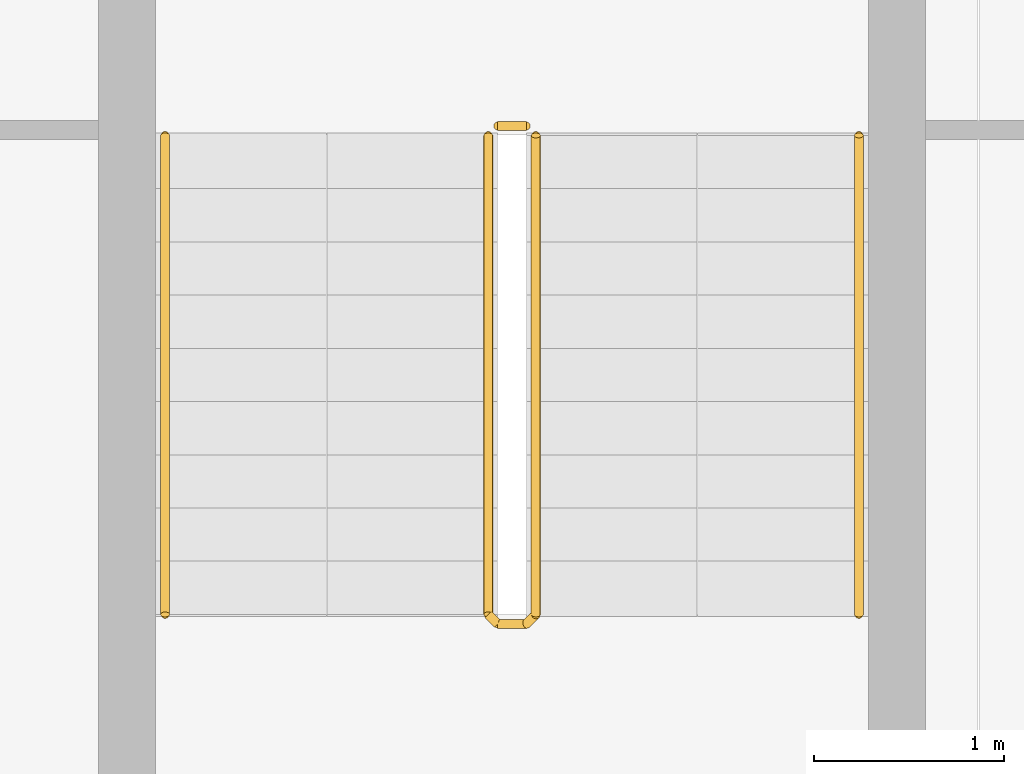
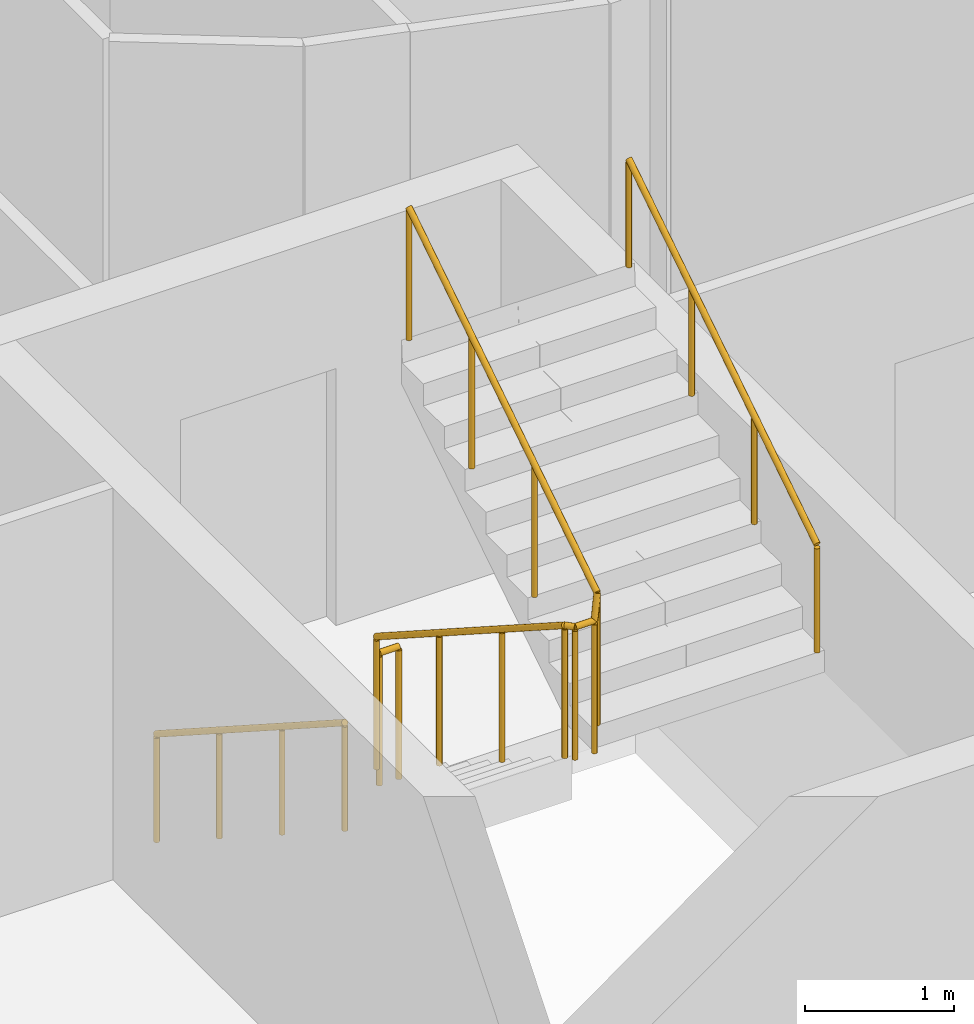
# One storey, part 25 of 27: 4 railings.
"""IFC4 building model written with IfcOpenShell, lengths in metres."""

from ifc_helpers import new_model, si_unit, direction, frame, origin, origin_2d, place, context, subcontext, project, spatial, circle, extrude, material, type_object, element, save


model = new_model("IFC4")

# Units and contexts
model_context = context("Model", 3, precision=1e-05, world=origin(), true_north=direction((0.0, 1.0)))
body_context = subcontext(model_context, "Body", "Model", "MODEL_VIEW")
ifc_project = project(units=[si_unit("LENGTHUNIT", "METRE"), si_unit("AREAUNIT", "SQUARE_METRE"), si_unit("VOLUMEUNIT", "CUBIC_METRE"), si_unit("PLANEANGLEUNIT", "RADIAN"), si_unit("MASSUNIT", "GRAM", prefix="KILO")], contexts=[model_context])

# Site, building, storey
site_placement = place(None, origin())
site = spatial("IfcSite", under=ifc_project, at=site_placement, CompositionType="ELEMENT")
building_placement = place(site_placement, origin())
building = spatial("IfcBuilding", under=site, at=building_placement, Name="Wharfspan Tower", CompositionType="ELEMENT")
storey_placement = place(building_placement, frame((0.0, 0.0, 136.300049)))
storey = spatial("IfcBuildingStorey", under=building, at=storey_placement, Name="L32", CompositionType="ELEMENT", Elevation=136.300049)

# Railings
ifc_material = material(Name="Steel S355J2", Category="steel")
railing_type_1 = type_object("IfcRailingType", Name="Stair guard 1100", PredefinedType="GUARDRAIL", material=ifc_material)
railing_1_placement = place(storey_placement, frame((43.235352, 6.316895, 0.179932)))
element("IfcRailing", 1, at=railing_1_placement, inside=storey, type_object=railing_type_1, Name="L32 ST4 stair guard 1", PredefinedType="GUARDRAIL", context=body_context, shape_type="SweptSolid", body=[
    extrude(circle(Radius=0.023926, at=origin_2d()), frame((0.0, 0.0, 1.076172), z_axis=(0.0, -0.841163, 0.540782), x_axis=(1.0, 0.0, 0.0)), (0.0, 0.0, 1.0), 2.99585),
    extrude(circle(Radius=0.023926, at=origin_2d()), frame((0.0, -2.52002, 2.696289), z_axis=(0.707107, -0.707107, 0.0), x_axis=(0.707107, 0.707107, 0.0)), (0.0, 0.0, 1.0), 0.070312),
    extrude(circle(Radius=0.023926, at=origin_2d()), frame((0.049805, -2.569824, 2.696289), z_axis=(1.0, 0.0, 0.0), x_axis=(0.0, 1.0, 0.0)), (0.0, 0.0, 1.0), 0.150146),
    extrude(circle(Radius=0.023926, at=origin_2d()), frame((0.199951, -2.569824, 2.696289), z_axis=(0.258932, 0.257669, 0.930892), x_axis=(-0.705372, 0.708833, -1e-06)), (0.0, 0.0, 1.0), 0.193359),
    extrude(circle(Radius=0.023926, at=origin_2d()), frame((0.25, -2.52002, 2.875977), z_axis=(0.0, 0.8412, 0.540725), x_axis=(-1.0, 0.0, 0.0)), (0.0, 0.0, 1.0), 2.99585),
    extrude(circle(Radius=0.020996, at=origin_2d()), origin(), (0.0, 0.0, 1.0), 1.052002),
    extrude(circle(Radius=0.020996, at=origin_2d()), frame((0.0, -0.840088, 0.540039)), (0.0, 0.0, 1.0), 1.052002),
    extrude(circle(Radius=0.020996, at=origin_2d()), frame((0.0, -1.679932, 1.080078)), (0.0, 0.0, 1.0), 1.052002),
    extrude(circle(Radius=0.020996, at=origin_2d()), frame((0.0, -2.52002, 1.620117)), (0.0, 0.0, 1.0), 1.052002),
    extrude(circle(Radius=0.020996, at=origin_2d()), frame((0.049805, -2.569824, 1.620117)), (0.0, 0.0, 1.0), 1.052002),
    extrude(circle(Radius=0.020996, at=origin_2d()), frame((0.199951, -2.569824, 1.620117)), (0.0, 0.0, 1.0), 1.052002),
    extrude(circle(Radius=0.020996, at=origin_2d()), frame((0.25, -2.52002, 1.800049)), (0.0, 0.0, 1.0), 1.052002),
    extrude(circle(Radius=0.020996, at=origin_2d()), frame((0.25, -1.679932, 2.340088)), (0.0, 0.0, 1.0), 1.052002),
    extrude(circle(Radius=0.020996, at=origin_2d()), frame((0.25, -0.840088, 2.879883)), (0.0, 0.0, 1.0), 1.052002),
    extrude(circle(Radius=0.020996, at=origin_2d()), frame((0.25, 0.0, 3.419922)), (0.0, 0.0, 1.0), 1.052002),
])
railing_2_placement = place(storey_placement, frame((43.285156, 6.366943, 0.0)))
element("IfcRailing", 2, at=railing_2_placement, inside=storey, type_object=railing_type_1, Name="L32 ST4 stair guard 2", PredefinedType="GUARDRAIL", context=body_context, shape_type="SweptSolid", body=[
    extrude(circle(Radius=0.023926, at=origin_2d()), frame((0.0, 0.0, 1.076172), z_axis=(1.0, 0.0, 0.0), x_axis=(0.0, 1.0, 0.0)), (0.0, 0.0, 1.0), 0.150146),
    extrude(circle(Radius=0.020996, at=origin_2d()), origin(), (0.0, 0.0, 1.0), 1.052002),
    extrude(circle(Radius=0.020996, at=origin_2d()), frame((0.150146, 0.0, 0.0)), (0.0, 0.0, 1.0), 1.052002),
])
railing_type_2 = type_object("IfcRailingType", Name="Stair handrail 900", PredefinedType="HANDRAIL", material=ifc_material)
railing_3_placement = place(storey_placement, frame((41.535156, 6.316895, 0.179932)))
element("IfcRailing", 3, at=railing_3_placement, inside=storey, type_object=railing_type_2, Name="L32 ST4 stair handrail 1", PredefinedType="HANDRAIL", context=body_context, shape_type="SweptSolid", body=[
    extrude(circle(Radius=0.023926, at=origin_2d()), frame((0.0, 0.0, 0.875977), z_axis=(0.0, -0.841163, 0.540782), x_axis=(1.0, 0.0, 0.0)), (0.0, 0.0, 1.0), 2.99585),
    extrude(circle(Radius=0.020996, at=origin_2d()), origin(), (0.0, 0.0, 1.0), 0.851807),
    extrude(circle(Radius=0.020996, at=origin_2d()), frame((0.0, -0.840088, 0.540039)), (0.0, 0.0, 1.0), 0.851807),
    extrude(circle(Radius=0.020996, at=origin_2d()), frame((0.0, -1.679932, 1.080078)), (0.0, 0.0, 1.0), 0.851807),
    extrude(circle(Radius=0.020996, at=origin_2d()), frame((0.0, -2.52002, 1.620117)), (0.0, 0.0, 1.0), 0.851807),
])
railing_4_placement = place(storey_placement, frame((45.185303, 3.796875, 1.97998)))
element("IfcRailing", 4, at=railing_4_placement, inside=storey, type_object=railing_type_2, Name="L32 ST4 stair handrail 2", PredefinedType="HANDRAIL", context=body_context, shape_type="SweptSolid", body=[
    extrude(circle(Radius=0.023926, at=origin_2d()), frame((0.0, 0.0, 0.875977), z_axis=(0.0, 0.8412, 0.540725), x_axis=(-1.0, 0.0, 0.0)), (0.0, 0.0, 1.0), 2.99585),
    extrude(circle(Radius=0.020996, at=origin_2d()), origin(), (0.0, 0.0, 1.0), 0.851807),
    extrude(circle(Radius=0.020996, at=origin_2d()), frame((0.0, 0.840088, 0.540039)), (0.0, 0.0, 1.0), 0.851807),
    extrude(circle(Radius=0.020996, at=origin_2d()), frame((0.0, 1.679932, 1.079834)), (0.0, 0.0, 1.0), 0.851807),
    extrude(circle(Radius=0.020996, at=origin_2d()), frame((0.0, 2.52002, 1.619873)), (0.0, 0.0, 1.0), 0.851807),
])

save(model, "model.ifc")
